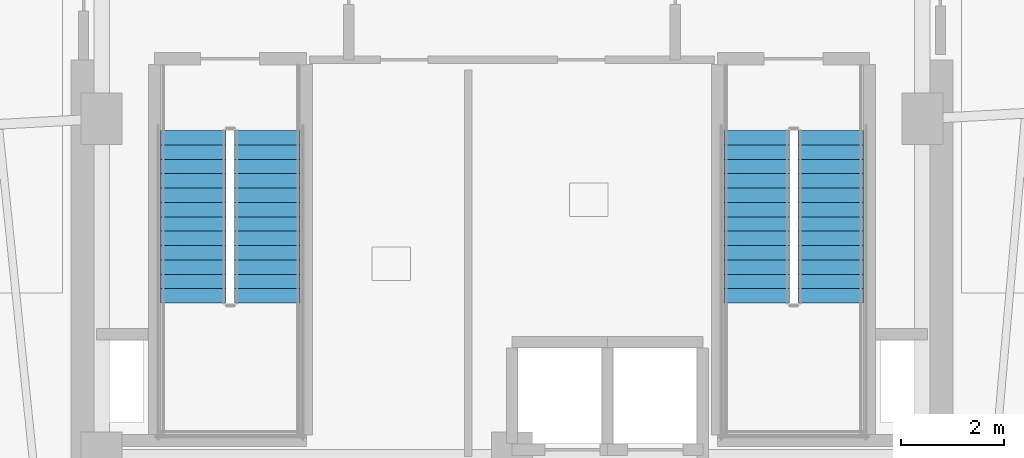
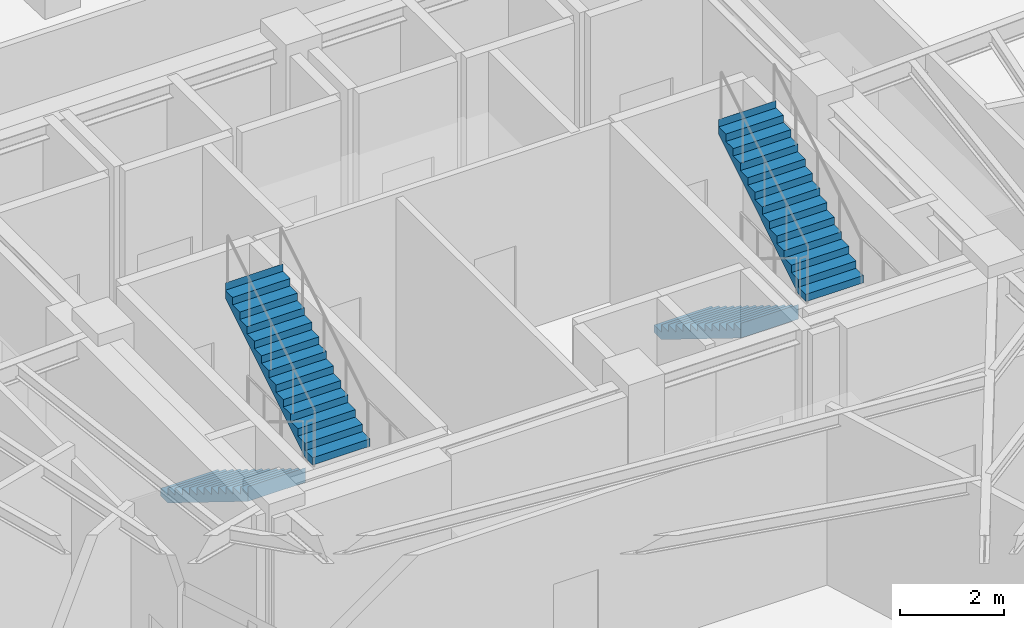
# One storey, part 15 of 18: 4 stair flights, 2 elements without a shape of their own.
"""IFC4 building model written with IfcOpenShell, lengths in metres."""

from ifc_helpers import new_model, si_unit, direction, frame, origin, place, context, subcontext, project, spatial, polyline, outline, extrude, material, type_object, element, aggregate, save


model = new_model("IFC4")

# Units and contexts
model_context = context("Model", 3, precision=1e-05, world=origin(), true_north=direction((0.0, 1.0)))
body_context = subcontext(model_context, "Body", "Model", "MODEL_VIEW")
ifc_project = project(units=[si_unit("LENGTHUNIT", "METRE"), si_unit("AREAUNIT", "SQUARE_METRE"), si_unit("VOLUMEUNIT", "CUBIC_METRE"), si_unit("PLANEANGLEUNIT", "RADIAN"), si_unit("MASSUNIT", "GRAM", prefix="KILO")], contexts=[model_context])

# Site, building, storey
site_placement = place(None, origin())
site = spatial("IfcSite", under=ifc_project, at=site_placement, CompositionType="ELEMENT")
building_placement = place(site_placement, origin())
building = spatial("IfcBuilding", under=site, at=building_placement, Name="Ndelora Gate Hotel", CompositionType="ELEMENT")
storey_placement = place(building_placement, frame((0.0, 0.0, 173.75)))
storey = spatial("IfcBuildingStorey", under=building, at=storey_placement, Name="L43", CompositionType="ELEMENT", Elevation=173.75)

# Stair, stair flights
ifc_material = material(Name="Precast concrete C40/50", Category="concrete")
stair_type = type_object("IfcStairType", Name="STR-DOG-CORE", PredefinedType="HALF_TURN_STAIR", material=ifc_material)
stair_1_placement = place(storey_placement, origin())
stair_1 = element("IfcStair", 1, at=stair_1_placement, inside=storey, type_object=stair_type, Name="L43 Protected Core Exit Stair ST4", PredefinedType="HALF_TURN_STAIR")
stair_flight_type = type_object("IfcStairFlightType", Name="STF-PRECAST", PredefinedType="STRAIGHT", material=ifc_material)
stair_flight_1_placement = place(storey_placement, frame((-6.2099609375, -0.22998046875, 0.0), z_axis=(0.0, 0.0, 1.0), x_axis=(0.0, -1.0, 0.0)))
stair_flight_1 = element("IfcStairFlight", 2, at=stair_flight_1_placement, type_object=stair_flight_type, Name="ST4 flight 1", NumberOfRisers=13, NumberOfTreads=12, PredefinedType="STRAIGHT", RiserHeight=0.173076923, TreadLength=0.28, context=body_context, shape_type="SweptSolid", body=[
    extrude(outline(polyline([(-0.00048828125, 0.0), (-0.00048828125, 0.173095703125), (0.0, 0.173095703125), (0.280029296875, 0.173095703125), (0.280029296875, 0.34619140625), (0.56005859375, 0.34619140625), (0.56005859375, 0.519287109375), (0.840087890625, 0.519287109375), (0.840087890625, 0.6923828125), (1.1201171875, 0.6923828125), (1.1201171875, 0.865478515625), (1.39990234375, 0.865478515625), (1.39990234375, 1.03857421875), (1.679931640625, 1.03857421875), (1.679931640625, 1.21142578125), (1.9599609375, 1.21142578125), (1.9599609375, 1.384521484375), (2.239990234375, 1.384521484375), (2.239990234375, 1.5576171875), (2.52001953125, 1.5576171875), (2.52001953125, 1.730712890625), (2.800048828125, 1.730712890625), (2.800048828125, 1.90380859375), (3.080078125, 1.90380859375), (3.080078125, 2.076904296875), (3.360107421875, 2.076904296875), (3.360107421875, 2.25), (3.360595703125, 2.25), (3.360595703125, 2.070068359375), (3.360107421875, 1.900634765625), (0.28515625, 0.0), (-0.00048828125, 0.0)])), frame((0.0, 0.64013671875, 0.0), z_axis=(0.0, -1.0, 0.0), x_axis=(1.0, 0.0, 0.0)), (0.0, 0.0, 1.0), 1.280029296875),
])
stair_flight_2_placement = place(storey_placement, frame((-4.77001953125, -3.590087890625, 2.25), z_axis=(0.0, 0.0, 1.0), x_axis=(0.0, 1.0, 0.0)))
stair_flight_2 = element("IfcStairFlight", 3, at=stair_flight_2_placement, type_object=stair_flight_type, Name="ST4 flight 2", NumberOfRisers=13, NumberOfTreads=12, PredefinedType="STRAIGHT", RiserHeight=0.173076923, TreadLength=0.28, context=body_context, shape_type="SweptSolid", body=[
    extrude(outline(polyline([(-0.00048828125, 0.0), (-0.00048828125, 0.173095703125), (0.0, 0.173095703125), (0.280029296875, 0.173095703125), (0.280029296875, 0.34619140625), (0.56005859375, 0.34619140625), (0.56005859375, 0.519287109375), (0.840087890625, 0.519287109375), (0.840087890625, 0.6923828125), (1.1201171875, 0.6923828125), (1.1201171875, 0.865478515625), (1.39990234375, 0.865478515625), (1.39990234375, 1.03857421875), (1.679931640625, 1.03857421875), (1.679931640625, 1.21142578125), (1.9599609375, 1.21142578125), (1.9599609375, 1.384521484375), (2.239990234375, 1.384521484375), (2.239990234375, 1.5576171875), (2.52001953125, 1.5576171875), (2.52001953125, 1.730712890625), (2.800048828125, 1.730712890625), (2.800048828125, 1.90380859375), (3.080078125, 1.90380859375), (3.080078125, 2.076904296875), (3.360107421875, 2.076904296875), (3.360107421875, 2.25), (3.360595703125, 2.25), (3.360595703125, 2.070068359375), (3.360107421875, 1.900634765625), (0.28515625, 0.0), (-0.00048828125, 0.0)])), frame((0.0, 0.64013671875, 0.0), z_axis=(0.0, -1.0, 0.0), x_axis=(1.0, 0.0, 0.0)), (0.0, 0.0, 1.0), 1.280029296875),
])
aggregate(stair_1, [stair_flight_1, stair_flight_2])

stair_2_placement = place(storey_placement, origin())
stair_2 = element("IfcStair", 4, at=stair_2_placement, inside=storey, type_object=stair_type, Name="L43 Protected Core Exit Stair ST5", PredefinedType="HALF_TURN_STAIR")
stair_flight_3_placement = place(storey_placement, frame((4.77001953125, -0.22998046875, 0.0), z_axis=(0.0, 0.0, 1.0), x_axis=(0.0, -1.0, 0.0)))
stair_flight_3 = element("IfcStairFlight", 5, at=stair_flight_3_placement, type_object=stair_flight_type, Name="ST5 flight 1", NumberOfRisers=13, NumberOfTreads=12, PredefinedType="STRAIGHT", RiserHeight=0.173076923, TreadLength=0.28, context=body_context, shape_type="SweptSolid", body=[
    extrude(outline(polyline([(-0.00048828125, 0.0), (-0.00048828125, 0.173095703125), (0.0, 0.173095703125), (0.280029296875, 0.173095703125), (0.280029296875, 0.34619140625), (0.56005859375, 0.34619140625), (0.56005859375, 0.519287109375), (0.840087890625, 0.519287109375), (0.840087890625, 0.6923828125), (1.1201171875, 0.6923828125), (1.1201171875, 0.865478515625), (1.39990234375, 0.865478515625), (1.39990234375, 1.03857421875), (1.679931640625, 1.03857421875), (1.679931640625, 1.21142578125), (1.9599609375, 1.21142578125), (1.9599609375, 1.384521484375), (2.239990234375, 1.384521484375), (2.239990234375, 1.5576171875), (2.52001953125, 1.5576171875), (2.52001953125, 1.730712890625), (2.800048828125, 1.730712890625), (2.800048828125, 1.90380859375), (3.080078125, 1.90380859375), (3.080078125, 2.076904296875), (3.360107421875, 2.076904296875), (3.360107421875, 2.25), (3.360595703125, 2.25), (3.360595703125, 2.070068359375), (3.360107421875, 1.900634765625), (0.28515625, 0.0), (-0.00048828125, 0.0)])), frame((0.0, 0.64013671875, 0.0), z_axis=(0.0, -1.0, 0.0), x_axis=(1.0, 0.0, 0.0)), (0.0, 0.0, 1.0), 1.280029296875),
])
stair_flight_4_placement = place(storey_placement, frame((6.2099609375, -3.590087890625, 2.25), z_axis=(0.0, 0.0, 1.0), x_axis=(0.0, 1.0, 0.0)))
stair_flight_4 = element("IfcStairFlight", 6, at=stair_flight_4_placement, type_object=stair_flight_type, Name="ST5 flight 2", NumberOfRisers=13, NumberOfTreads=12, PredefinedType="STRAIGHT", RiserHeight=0.173076923, TreadLength=0.28, context=body_context, shape_type="SweptSolid", body=[
    extrude(outline(polyline([(-0.00048828125, 0.0), (-0.00048828125, 0.173095703125), (0.0, 0.173095703125), (0.280029296875, 0.173095703125), (0.280029296875, 0.34619140625), (0.56005859375, 0.34619140625), (0.56005859375, 0.519287109375), (0.840087890625, 0.519287109375), (0.840087890625, 0.6923828125), (1.1201171875, 0.6923828125), (1.1201171875, 0.865478515625), (1.39990234375, 0.865478515625), (1.39990234375, 1.03857421875), (1.679931640625, 1.03857421875), (1.679931640625, 1.21142578125), (1.9599609375, 1.21142578125), (1.9599609375, 1.384521484375), (2.239990234375, 1.384521484375), (2.239990234375, 1.5576171875), (2.52001953125, 1.5576171875), (2.52001953125, 1.730712890625), (2.800048828125, 1.730712890625), (2.800048828125, 1.90380859375), (3.080078125, 1.90380859375), (3.080078125, 2.076904296875), (3.360107421875, 2.076904296875), (3.360107421875, 2.25), (3.360595703125, 2.25), (3.360595703125, 2.070068359375), (3.360107421875, 1.900634765625), (0.28515625, 0.0), (-0.00048828125, 0.0)])), frame((0.0, 0.64013671875, 0.0), z_axis=(0.0, -1.0, 0.0), x_axis=(1.0, 0.0, 0.0)), (0.0, 0.0, 1.0), 1.280029296875),
])
aggregate(stair_2, [stair_flight_3, stair_flight_4])

save(model, "model.ifc")
